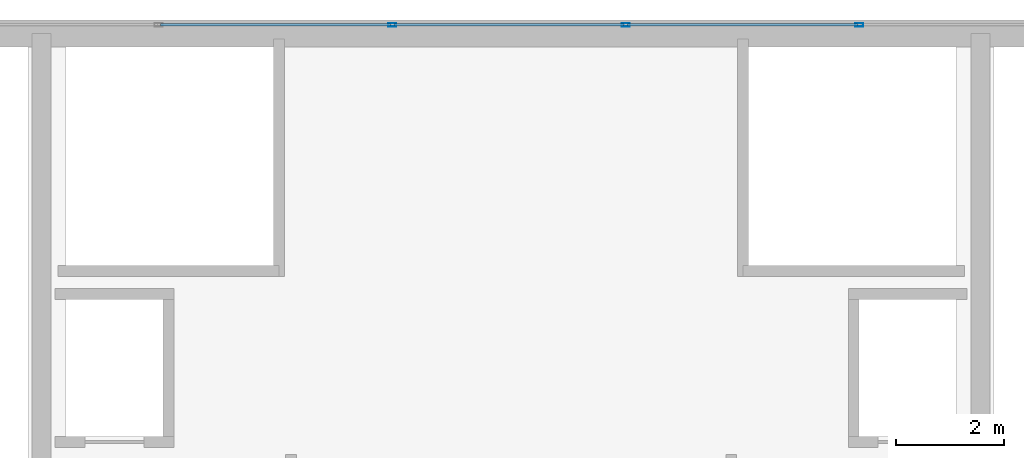
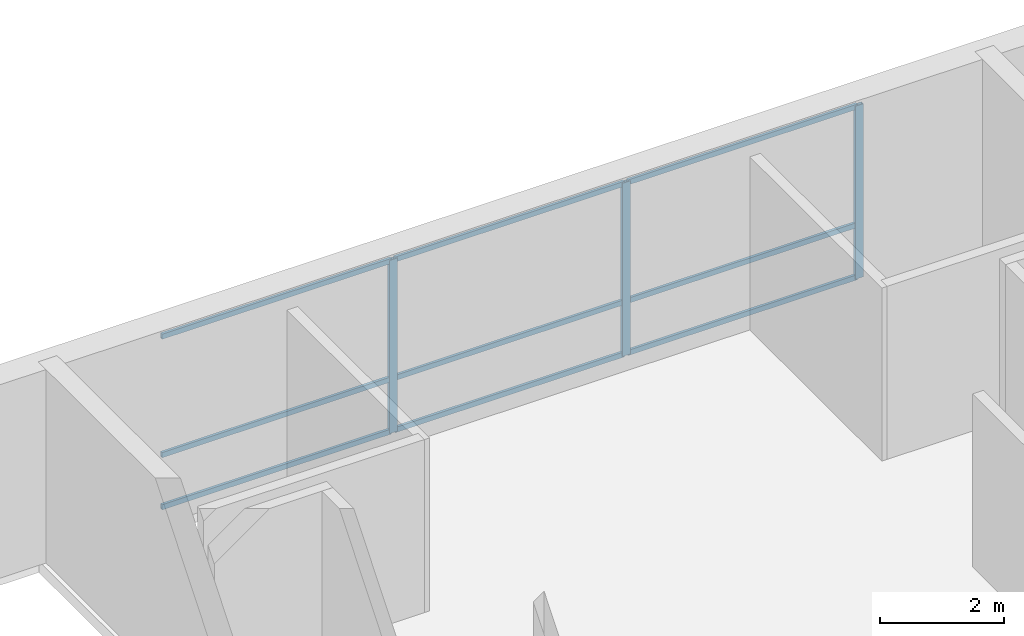
# One storey, part 27 of 35: 12 members, 1 element without a shape of its own.
"""IFC4 building model written with IfcOpenShell, lengths in metres."""

from ifc_helpers import new_model, si_unit, direction, frame, origin, origin_2d, place, context, subcontext, project, spatial, hollow_rectangle, extrude, source, transform, mapped, material, layer, layer_set, material_profile, profile_set, type_object, type_shapes, element, aggregate, save


model = new_model("IFC4")

# Units and contexts
model_context = context("Model", 3, precision=1e-05, world=origin(), true_north=direction((0.0, 1.0)))
body_context = subcontext(model_context, "Body", "Model", "MODEL_VIEW")
ifc_project = project(units=[si_unit("LENGTHUNIT", "METRE"), si_unit("AREAUNIT", "SQUARE_METRE"), si_unit("VOLUMEUNIT", "CUBIC_METRE"), si_unit("PLANEANGLEUNIT", "RADIAN"), si_unit("MASSUNIT", "GRAM", prefix="KILO")], contexts=[model_context])

# Site, building, storey
site_placement = place(None, origin())
site = spatial("IfcSite", under=ifc_project, at=site_placement, CompositionType="ELEMENT")
building_placement = place(site_placement, origin())
building = spatial("IfcBuilding", under=site, at=building_placement, Name="Tolvann Quenvar Hotel", CompositionType="ELEMENT")
storey_placement = place(building_placement, frame((0.0, 0.0, 309.949951171875)))
storey = spatial("IfcBuildingStorey", under=building, at=storey_placement, Name="L82", CompositionType="ELEMENT", Elevation=309.949951171875)

# Curtain wall, members
ifc_material_1 = material(Name="Thermally broken anodised architectural aluminium 6063-T6 and laminated low-E glass", Category="aluminium")
ifc_layer = layer(ifc_material_1, 0.179931640625)
ifc_layer_set = layer_set([ifc_layer], Name="Thermally broken anodised architectural aluminium 6063-T6 and laminated low-E glass")
curtain_wall_type = type_object("IfcCurtainWallType", Name="CW_SYS_LANT_06", PredefinedType="USERDEFINED", material=ifc_layer_set)
curtain_wall_placement = place(storey_placement, origin())
curtain_wall = element("IfcCurtainWall", 1, at=curtain_wall_placement, inside=storey, type_object=curtain_wall_type, Name="Curtain Wall CW-LANT-06 (CWR-L82-E14)", ObjectType="UNITISED CURTAIN WALL", PredefinedType="USERDEFINED")
ifc_material_2 = material(Name="Anodised architectural aluminium 6063-T6 framing", Category="aluminium")
ifc_material_profile_1 = material_profile(ifc_material_2, hollow_rectangle(XDim=0.050048828125, YDim=0.10009765625, WallThickness=0.0029296875, at=origin_2d()), Name="100x50x3RHS")
ifc_profile_set_1 = profile_set([ifc_material_profile_1], Name="Anodised architectural aluminium 6063-T6 framing")
member_type_1 = type_object("IfcMemberType", Name="CW_TRAN_100x50", PredefinedType="USERDEFINED", material=ifc_profile_set_1)
shared_shape_1 = source(origin(), body_context, "Body", "SweptSolid", [
    extrude(hollow_rectangle(XDim=0.050048828125, YDim=0.10009765625, WallThickness=0.0029296875, at=origin_2d()), origin(), (0.0, 0.0, 1.0), 4.2626953125),
])
member_1_placement = place(storey_placement, frame((25.09521484375, 44.110107421875, 0.025146484375), z_axis=(-1.0, 0.0, 0.0), x_axis=(0.0, -1.0, 0.0)))
member_1 = element("IfcMember", 2, at=member_1_placement, type_object=member_type_1, Name="CW-LANT-06 transom 3.1", ObjectType="TRANSOM", PredefinedType="USERDEFINED", context=body_context, shape_type="MappedRepresentation", body=[
    mapped(shared_shape_1, transform((0.0, 0.0, 0.0), x_axis=(1.0, 0.0, 0.0), y_axis=(0.0, 1.0, 0.0), z_axis=(0.0, 0.0, 1.0), scale=1.0)),
])
member_2_placement = place(storey_placement, frame((25.09521484375, 44.110107421875, 1.050048828125), z_axis=(-1.0, 0.0, 0.0), x_axis=(0.0, -1.0, 0.0)))
member_2 = element("IfcMember", 3, at=member_2_placement, type_object=member_type_1, Name="CW-LANT-06 transom 3.2", ObjectType="TRANSOM", PredefinedType="USERDEFINED", context=body_context, shape_type="MappedRepresentation", body=[
    mapped(shared_shape_1, transform((0.0, 0.0, 0.0), x_axis=(1.0, 0.0, 0.0), y_axis=(0.0, 1.0, 0.0), z_axis=(0.0, 0.0, 1.0), scale=1.0)),
])
member_3_placement = place(storey_placement, frame((25.09521484375, 44.110107421875, 3.375), z_axis=(-1.0, 0.0, 0.0), x_axis=(0.0, -1.0, 0.0)))
member_3 = element("IfcMember", 4, at=member_3_placement, type_object=member_type_1, Name="CW-LANT-06 transom 3.3", ObjectType="TRANSOM", PredefinedType="USERDEFINED", context=body_context, shape_type="MappedRepresentation", body=[
    mapped(shared_shape_1, transform((0.0, 0.0, 0.0), x_axis=(1.0, 0.0, 0.0), y_axis=(0.0, 1.0, 0.0), z_axis=(0.0, 0.0, 1.0), scale=1.0)),
])
member_4_placement = place(storey_placement, frame((20.767578125, 44.110107421875, 0.025146484375), z_axis=(-1.0, 0.0, 0.0), x_axis=(0.0, -1.0, 0.0)))
member_4 = element("IfcMember", 5, at=member_4_placement, type_object=member_type_1, Name="CW-LANT-06 transom 4.1", ObjectType="TRANSOM", PredefinedType="USERDEFINED", context=body_context, shape_type="MappedRepresentation", body=[
    mapped(shared_shape_1, transform((0.0, 0.0, 0.0), x_axis=(1.0, 0.0, 0.0), y_axis=(0.0, 1.0, 0.0), z_axis=(0.0, 0.0, 1.0), scale=1.0)),
])
member_5_placement = place(storey_placement, frame((20.767578125, 44.110107421875, 1.050048828125), z_axis=(-1.0, 0.0, 0.0), x_axis=(0.0, -1.0, 0.0)))
member_5 = element("IfcMember", 6, at=member_5_placement, type_object=member_type_1, Name="CW-LANT-06 transom 4.2", ObjectType="TRANSOM", PredefinedType="USERDEFINED", context=body_context, shape_type="MappedRepresentation", body=[
    mapped(shared_shape_1, transform((0.0, 0.0, 0.0), x_axis=(1.0, 0.0, 0.0), y_axis=(0.0, 1.0, 0.0), z_axis=(0.0, 0.0, 1.0), scale=1.0)),
])
member_6_placement = place(storey_placement, frame((20.767578125, 44.110107421875, 3.375), z_axis=(-1.0, 0.0, 0.0), x_axis=(0.0, -1.0, 0.0)))
member_6 = element("IfcMember", 7, at=member_6_placement, type_object=member_type_1, Name="CW-LANT-06 transom 4.3", ObjectType="TRANSOM", PredefinedType="USERDEFINED", context=body_context, shape_type="MappedRepresentation", body=[
    mapped(shared_shape_1, transform((0.0, 0.0, 0.0), x_axis=(1.0, 0.0, 0.0), y_axis=(0.0, 1.0, 0.0), z_axis=(0.0, 0.0, 1.0), scale=1.0)),
])
shared_shape_2 = source(origin(), body_context, "Body", "SweptSolid", [
    extrude(hollow_rectangle(XDim=0.050048828125, YDim=0.10009765625, WallThickness=0.0029296875, at=origin_2d()), origin(), (0.0, 0.0, 1.0), 4.262451171875),
])
type_shapes(member_type_1, [shared_shape_1, shared_shape_2])
member_7_placement = place(storey_placement, frame((29.422607421875, 44.110107421875, 0.025146484375), z_axis=(-1.0, 0.0, 0.0), x_axis=(0.0, -1.0, 0.0)))
member_7 = element("IfcMember", 8, at=member_7_placement, type_object=member_type_1, Name="CW-LANT-06 transom 2.1", ObjectType="TRANSOM", PredefinedType="USERDEFINED", context=body_context, shape_type="MappedRepresentation", body=[
    mapped(shared_shape_2, transform((0.0, 0.0, 0.0), x_axis=(1.0, 0.0, 0.0), y_axis=(0.0, 1.0, 0.0), z_axis=(0.0, 0.0, 1.0), scale=1.0)),
])
member_8_placement = place(storey_placement, frame((29.422607421875, 44.110107421875, 1.050048828125), z_axis=(-1.0, 0.0, 0.0), x_axis=(0.0, -1.0, 0.0)))
member_8 = element("IfcMember", 9, at=member_8_placement, type_object=member_type_1, Name="CW-LANT-06 transom 2.2", ObjectType="TRANSOM", PredefinedType="USERDEFINED", context=body_context, shape_type="MappedRepresentation", body=[
    mapped(shared_shape_2, transform((0.0, 0.0, 0.0), x_axis=(1.0, 0.0, 0.0), y_axis=(0.0, 1.0, 0.0), z_axis=(0.0, 0.0, 1.0), scale=1.0)),
])
member_9_placement = place(storey_placement, frame((29.422607421875, 44.110107421875, 3.375), z_axis=(-1.0, 0.0, 0.0), x_axis=(0.0, -1.0, 0.0)))
member_9 = element("IfcMember", 10, at=member_9_placement, type_object=member_type_1, Name="CW-LANT-06 transom 2.3", ObjectType="TRANSOM", PredefinedType="USERDEFINED", context=body_context, shape_type="MappedRepresentation", body=[
    mapped(shared_shape_2, transform((0.0, 0.0, 0.0), x_axis=(1.0, 0.0, 0.0), y_axis=(0.0, 1.0, 0.0), z_axis=(0.0, 0.0, 1.0), scale=1.0)),
])
ifc_material_profile_2 = material_profile(ifc_material_2, hollow_rectangle(XDim=0.06494140625, YDim=0.14990234375, WallThickness=0.00390625, at=origin_2d()), Name="150x65x4RHS")
ifc_profile_set_2 = profile_set([ifc_material_profile_2], Name="Anodised architectural aluminium 6063-T6 framing")
member_type_2 = type_object("IfcMemberType", Name="CW_MULL_150x65", PredefinedType="MULLION", material=ifc_profile_set_2)
shared_shape_3 = source(origin(), body_context, "Body", "SweptSolid", [
    extrude(hollow_rectangle(XDim=0.06494140625, YDim=0.14990234375, WallThickness=0.00390625, at=origin_2d()), origin(), (0.0, 0.0, 1.0), 3.400146484375),
])
type_shapes(member_type_2, [shared_shape_3])
member_10_placement = place(storey_placement, frame((29.455078125, 44.110107421875, 0.0), z_axis=(0.0, 0.0, 1.0), x_axis=(0.0, -1.0, 0.0)))
member_10 = element("IfcMember", 11, at=member_10_placement, type_object=member_type_2, Name="CW-LANT-06 mullion 2", PredefinedType="MULLION", context=body_context, shape_type="MappedRepresentation", body=[
    mapped(shared_shape_3, transform((0.0, 0.0, 0.0), x_axis=(1.0, 0.0, 0.0), y_axis=(0.0, 1.0, 0.0), z_axis=(0.0, 0.0, 1.0), scale=1.0)),
])
member_11_placement = place(storey_placement, frame((25.127685546875, 44.110107421875, 0.0), z_axis=(0.0, 0.0, 1.0), x_axis=(0.0, -1.0, 0.0)))
member_11 = element("IfcMember", 12, at=member_11_placement, type_object=member_type_2, Name="CW-LANT-06 mullion 3", PredefinedType="MULLION", context=body_context, shape_type="MappedRepresentation", body=[
    mapped(shared_shape_3, transform((0.0, 0.0, 0.0), x_axis=(1.0, 0.0, 0.0), y_axis=(0.0, 1.0, 0.0), z_axis=(0.0, 0.0, 1.0), scale=1.0)),
])
member_12_placement = place(storey_placement, frame((20.800048828125, 44.110107421875, 0.0), z_axis=(0.0, 0.0, 1.0), x_axis=(0.0, -1.0, 0.0)))
member_12 = element("IfcMember", 13, at=member_12_placement, type_object=member_type_2, Name="CW-LANT-06 mullion 4", PredefinedType="MULLION", context=body_context, shape_type="MappedRepresentation", body=[
    mapped(shared_shape_3, transform((0.0, 0.0, 0.0), x_axis=(1.0, 0.0, 0.0), y_axis=(0.0, 1.0, 0.0), z_axis=(0.0, 0.0, 1.0), scale=1.0)),
])
aggregate(curtain_wall, [member_10, member_11, member_12, member_7, member_8, member_9, member_1, member_2, member_3, member_4, member_5, member_6])

save(model, "model.ifc")
